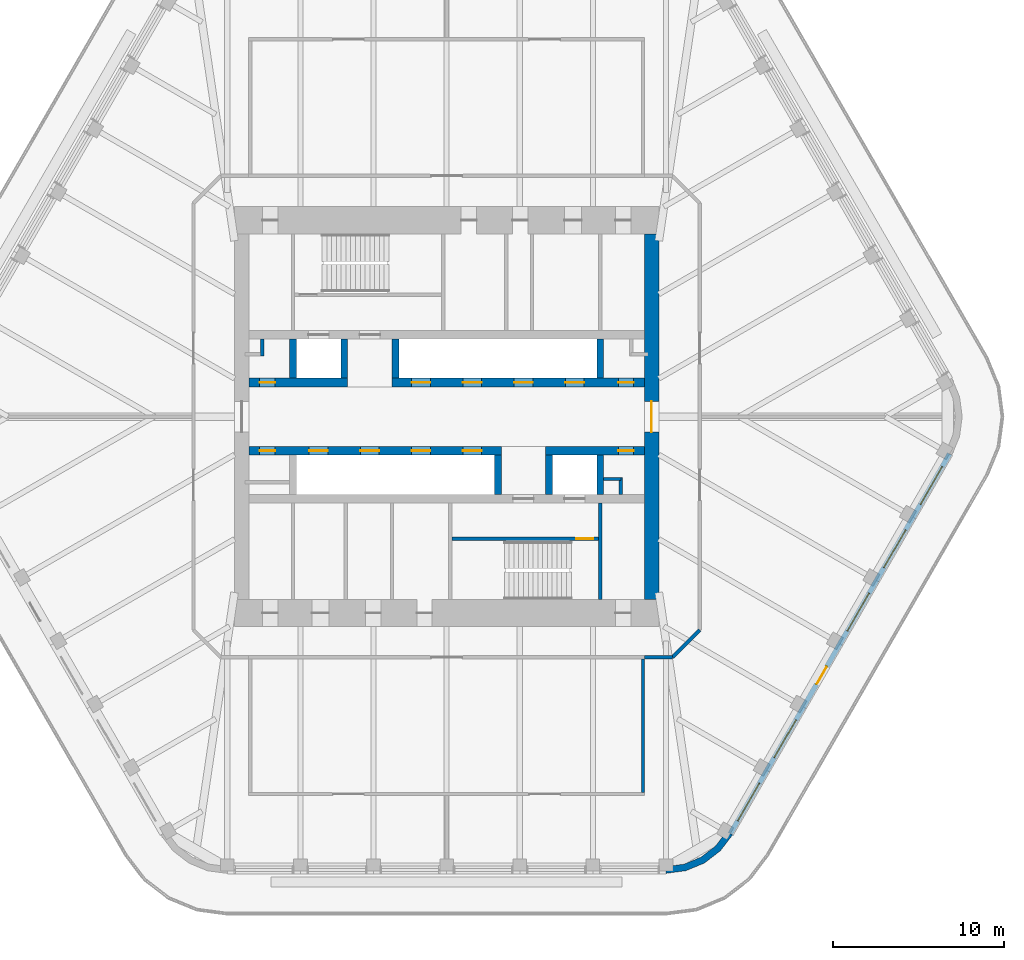
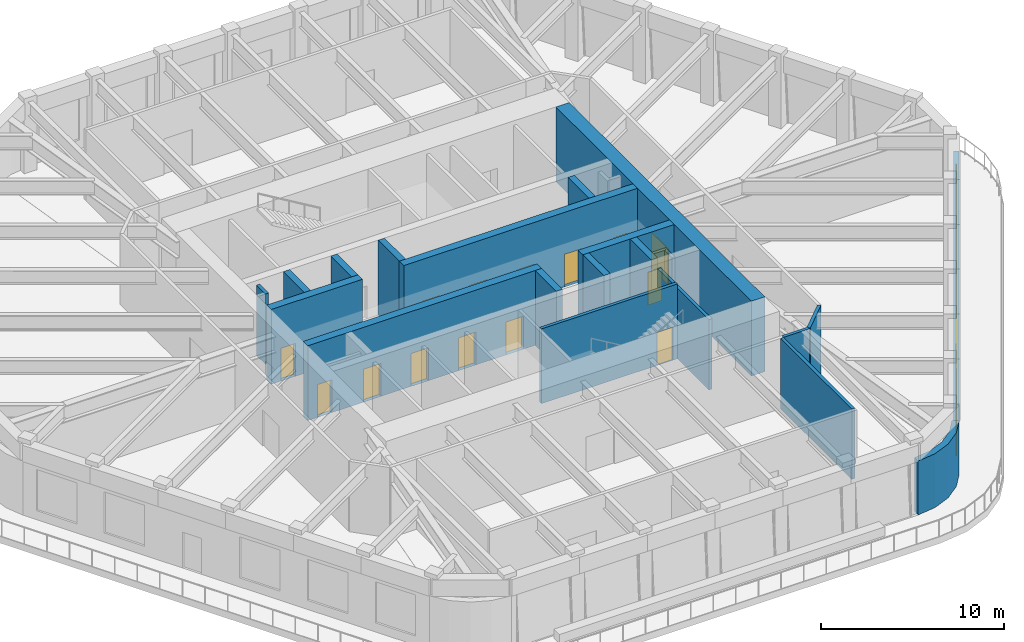
# One storey, part 8 of 13: 22 walls, 15 doors, 5 windows, 20 openings.
"""IFC4 building model written with IfcOpenShell, lengths in metres."""

from ifc_helpers import new_model, si_unit, direction, frame, frame_2d, origin, place, context, subcontext, project, spatial, polyline, rectangle, outline, extrude, material, layer, layer_set, type_object, element, fill, save


model = new_model("IFC4")

# Units and contexts
model_context = context("Model", 3, precision=1e-05, world=origin(), true_north=direction((0.0, 1.0)))
body_context = subcontext(model_context, "Body", "Model", "MODEL_VIEW")
ifc_project = project(units=[si_unit("LENGTHUNIT", "METRE"), si_unit("AREAUNIT", "SQUARE_METRE"), si_unit("VOLUMEUNIT", "CUBIC_METRE"), si_unit("PLANEANGLEUNIT", "RADIAN"), si_unit("MASSUNIT", "GRAM", prefix="KILO")], contexts=[model_context])

# Site, building, storey
site_placement = place(None, origin())
site = spatial("IfcSite", under=ifc_project, at=site_placement, CompositionType="ELEMENT")
building_placement = place(site_placement, origin())
building = spatial("IfcBuilding", under=site, at=building_placement, Name="Tarfa Lantern Tower", CompositionType="ELEMENT")
storey_placement = place(building_placement, frame((0.0, 0.0, 391.300048828125)))
storey = spatial("IfcBuildingStorey", under=building, at=storey_placement, Name="L89", CompositionType="ELEMENT", Elevation=391.300048828125)

# Wall, openings, door, windows
ifc_material_1 = material(Name="Limestone cladding on blockwork", Category="masonry")
ifc_layer_1 = layer(ifc_material_1, 0.300048828125)
ifc_layer_set_1 = layer_set([ifc_layer_1], Name="EW1 STONE-CLAD WALL 300")
wall_type_1 = type_object("IfcWallType", Name="EW1 STONE-CLAD WALL 300", PredefinedType="SOLIDWALL", material=ifc_layer_set_1)
wall_1_placement = place(storey_placement, frame((16.61328125, -24.425048828125, 0.0), z_axis=(0.0, 0.0, 1.0), x_axis=(0.499997191038, 0.866027025533, 0.0)))
wall_1 = element("IfcWall", 1, at=wall_1_placement, inside=storey, type_object=wall_type_1, Name="Stone wall SE", PredefinedType="SOLIDWALL", context=body_context, shape_type="SweptSolid", body=[
    extrude(rectangle(XDim=25.692138671875, YDim=0.300048828125, at=frame_2d((12.84619140625, 0.0))), origin(), (0.0, 0.0, 1.0), 3.599853515625),
])
opening_1_placement = place(wall_1_placement, frame((0.865966796875, 0.0, 0.60009765625)))
opening_1 = element("IfcOpeningElement", 2, at=opening_1_placement, cuts=wall_1, Name="Opening W18", PredefinedType="OPENING", context=body_context, shape_type="SweptSolid", body=[
    extrude(rectangle(XDim=2.550048828125, YDim=2.75, at=frame_2d((1.27490234375, 1.375))), frame((0.0, 0.159912109375, 0.0), z_axis=(0.0, -1.0, 0.0), x_axis=(1.0, 0.0, 0.0)), (0.0, 0.0, 1.0), 0.320068359375),
])
opening_2_placement = place(wall_1_placement, frame((5.14794921875, 0.0, 0.60009765625)))
opening_2 = element("IfcOpeningElement", 3, at=opening_2_placement, cuts=wall_1, Name="Opening W18", PredefinedType="OPENING", context=body_context, shape_type="SweptSolid", body=[
    extrude(rectangle(XDim=2.550048828125, YDim=2.75, at=frame_2d((1.27490234375, 1.375))), frame((0.0, 0.159912109375, 0.0), z_axis=(0.0, -1.0, 0.0), x_axis=(1.0, 0.0, 0.0)), (0.0, 0.0, 1.0), 0.320068359375),
])
opening_3_placement = place(wall_1_placement, frame((10.10498046875, 0.0, 0.0)))
opening_3 = element("IfcOpeningElement", 4, at=opening_3_placement, cuts=wall_1, Name="Opening D32", PredefinedType="OPENING", context=body_context, shape_type="SweptSolid", body=[
    extrude(rectangle(XDim=1.199951171875, YDim=2.39990234375, at=frame_2d((0.60009765625, 1.199951171875))), frame((0.0, 0.159912109375, 0.0), z_axis=(0.0, -1.0, 0.0), x_axis=(1.0, 0.0, 0.0)), (0.0, 0.0, 1.0), 0.320068359375),
])
opening_4_placement = place(wall_1_placement, frame((13.712158203125, 0.0, 0.60009765625)))
opening_4 = element("IfcOpeningElement", 5, at=opening_4_placement, cuts=wall_1, Name="Opening W18", PredefinedType="OPENING", context=body_context, shape_type="SweptSolid", body=[
    extrude(rectangle(XDim=2.550048828125, YDim=2.75, at=frame_2d((1.27490234375, 1.375))), frame((0.0, 0.159912109375, 0.0), z_axis=(0.0, -1.0, 0.0), x_axis=(1.0, 0.0, 0.0)), (0.0, 0.0, 1.0), 0.320068359375),
])
opening_5_placement = place(wall_1_placement, frame((17.994140625, 0.0, 0.60009765625)))
opening_5 = element("IfcOpeningElement", 6, at=opening_5_placement, cuts=wall_1, Name="Opening W18", PredefinedType="OPENING", context=body_context, shape_type="SweptSolid", body=[
    extrude(rectangle(XDim=2.550048828125, YDim=2.75, at=frame_2d((1.27490234375, 1.375))), frame((0.0, 0.159912109375, 0.0), z_axis=(0.0, -1.0, 0.0), x_axis=(1.0, 0.0, 0.0)), (0.0, 0.0, 1.0), 0.320068359375),
])
opening_6_placement = place(wall_1_placement, frame((22.276123046875, 0.0, 0.60009765625)))
opening_6 = element("IfcOpeningElement", 7, at=opening_6_placement, cuts=wall_1, Name="Opening W18", PredefinedType="OPENING", context=body_context, shape_type="SweptSolid", body=[
    extrude(rectangle(XDim=2.550048828125, YDim=2.75, at=frame_2d((1.27490234375, 1.375))), frame((0.0, 0.159912109375, 0.0), z_axis=(0.0, -1.0, 0.0), x_axis=(1.0, 0.0, 0.0)), (0.0, 0.0, 1.0), 0.320068359375),
])
ifc_material_2 = material(Name="Aluminium framed glazed door", Category="aluminium")
door_type_1 = type_object("IfcDoorType", Name="BE3 BALCONY DOOR 1200x2400", OperationType="SINGLE_SWING_RIGHT", PredefinedType="DOOR", material=ifc_material_2)
door_1_placement = place(opening_3_placement, origin())
door_1 = element("IfcDoor", 8, at=door_1_placement, inside=storey, type_object=door_type_1, Name="Balcony door SE", OperationType="SINGLE_SWING_RIGHT", OverallHeight=2.39990234375, OverallWidth=1.199951171875, PredefinedType="DOOR", context=body_context, shape_type="SweptSolid", body=[
    extrude(rectangle(XDim=1.199951171875, YDim=2.39990234375, at=frame_2d((0.60009765625, 1.199951171875))), frame((0.0, 0.02490234375, 0.0), z_axis=(0.0, -1.0, 0.0), x_axis=(1.0, 0.0, 0.0)), (0.0, 0.0, 1.0), 0.050048828125),
])
fill(opening_3, door_1)
ifc_material_3 = material(Name="Aluminium frame, double glazed", Category="aluminium")
window_type = type_object("IfcWindowType", Name="W18 FULL-HEIGHT GLAZING 2550x2750", PartitioningType="SINGLE_PANEL", PredefinedType="WINDOW", material=ifc_material_3)
window_1_placement = place(opening_1_placement, origin())
window_1 = element("IfcWindow", 9, at=window_1_placement, inside=storey, type_object=window_type, Name="Window SE 1", OverallHeight=2.75, OverallWidth=2.550048828125, PartitioningType="SINGLE_PANEL", PredefinedType="WINDOW", context=body_context, shape_type="SweptSolid", body=[
    extrude(rectangle(XDim=2.550048828125, YDim=2.75, at=frame_2d((1.27490234375, 1.375))), frame((0.0, 0.030029296875, 0.0), z_axis=(0.0, -1.0, 0.0), x_axis=(1.0, 0.0, 0.0)), (0.0, 0.0, 1.0), 0.06005859375),
])
fill(opening_1, window_1)
window_2_placement = place(opening_2_placement, origin())
window_2 = element("IfcWindow", 10, at=window_2_placement, inside=storey, type_object=window_type, Name="Window SE 2", OverallHeight=2.75, OverallWidth=2.550048828125, PartitioningType="SINGLE_PANEL", PredefinedType="WINDOW", context=body_context, shape_type="SweptSolid", body=[
    extrude(rectangle(XDim=2.550048828125, YDim=2.75, at=frame_2d((1.27490234375, 1.375))), frame((0.0, 0.030029296875, 0.0), z_axis=(0.0, -1.0, 0.0), x_axis=(1.0, 0.0, 0.0)), (0.0, 0.0, 1.0), 0.06005859375),
])
fill(opening_2, window_2)
window_3_placement = place(opening_4_placement, origin())
window_3 = element("IfcWindow", 11, at=window_3_placement, inside=storey, type_object=window_type, Name="Window SE 4", OverallHeight=2.75, OverallWidth=2.550048828125, PartitioningType="SINGLE_PANEL", PredefinedType="WINDOW", context=body_context, shape_type="SweptSolid", body=[
    extrude(rectangle(XDim=2.550048828125, YDim=2.75, at=frame_2d((1.27490234375, 1.375))), frame((0.0, 0.030029296875, 0.0), z_axis=(0.0, -1.0, 0.0), x_axis=(1.0, 0.0, 0.0)), (0.0, 0.0, 1.0), 0.06005859375),
])
fill(opening_4, window_3)
window_4_placement = place(opening_5_placement, origin())
window_4 = element("IfcWindow", 12, at=window_4_placement, inside=storey, type_object=window_type, Name="Window SE 5", OverallHeight=2.75, OverallWidth=2.550048828125, PartitioningType="SINGLE_PANEL", PredefinedType="WINDOW", context=body_context, shape_type="SweptSolid", body=[
    extrude(rectangle(XDim=2.550048828125, YDim=2.75, at=frame_2d((1.27490234375, 1.375))), frame((0.0, 0.030029296875, 0.0), z_axis=(0.0, -1.0, 0.0), x_axis=(1.0, 0.0, 0.0)), (0.0, 0.0, 1.0), 0.06005859375),
])
fill(opening_5, window_4)
window_5_placement = place(opening_6_placement, origin())
window_5 = element("IfcWindow", 13, at=window_5_placement, inside=storey, type_object=window_type, Name="Window SE 6", OverallHeight=2.75, OverallWidth=2.550048828125, PartitioningType="SINGLE_PANEL", PredefinedType="WINDOW", context=body_context, shape_type="SweptSolid", body=[
    extrude(rectangle(XDim=2.550048828125, YDim=2.75, at=frame_2d((1.27490234375, 1.375))), frame((0.0, 0.030029296875, 0.0), z_axis=(0.0, -1.0, 0.0), x_axis=(1.0, 0.0, 0.0)), (0.0, 0.0, 1.0), 0.06005859375),
])
fill(opening_6, window_5)

# Walls
ifc_layer_2 = layer(ifc_material_1, 0.39990234375)
ifc_layer_set_2 = layer_set([ifc_layer_2], Name="EW2 CURVED STONE CORNER 400")
wall_type_2 = type_object("IfcWallType", Name="EW2 CURVED STONE CORNER 400", PredefinedType="SOLIDWALL", material=ifc_layer_set_2)
wall_2_placement = place(storey_placement, origin())
element("IfcWall", 14, at=wall_2_placement, inside=storey, type_object=wall_type_2, Name="Stone corner S-SE", PredefinedType="SOLIDWALL", context=body_context, shape_type="SweptSolid", body=[
    extrude(outline(polyline([(12.845947265625, -26.75), (14.0107421875, -26.5966796875), (15.095947265625, -26.147216796875), (16.028076171875, -25.431884765625), (16.7431640625, -24.5), (16.396728515625, -24.300048828125), (15.7451171875, -25.149169921875), (14.89599609375, -25.80078125), (13.9072265625, -26.210205078125), (12.845947265625, -26.35009765625), (12.845947265625, -26.75)])), origin(), (0.0, 0.0, 1.0), 3.599853515625),
])
ifc_material_4 = material(Name="Concrete blockwork", Category="masonry")
ifc_layer_3 = layer(ifc_material_4, 0.199951171875)
ifc_layer_set_3 = layer_set([ifc_layer_3], Name="IW1 BLOCKWORK PARTITION 200 EI 120")
wall_type_3 = type_object("IfcWallType", Name="IW1 BLOCKWORK PARTITION 200 EI 120", PredefinedType="PARTITIONING", material=ifc_layer_set_3)
wall_3_placement = place(storey_placement, frame((9.0, -5.050048828125, 0.0), z_axis=(0.0, 0.0, 1.0), x_axis=(0.0, -1.0, 0.0)))
element("IfcWall", 15, at=wall_3_placement, inside=storey, type_object=wall_type_3, Name="Core partition", PredefinedType="PARTITIONING", context=body_context, shape_type="SweptSolid", body=[
    extrude(rectangle(XDim=5.64990234375, YDim=0.199951171875, at=frame_2d((2.824951171875, 0.0))), origin(), (0.0, 0.0, 1.0), 4.699951171875),
])
for number, where, z_axis, x_axis, name in (
    (16, (-10.800048828125, 3.550048828125, 0.0), (0.0, 0.0, 1.0), (0.0, 1.0, 0.0), "Core partition"),
    (17, (10.199951171875, -3.64990234375, 0.0), (0.0, 0.0, 1.0), (-1.0, 0.0, 0.0), "Core partition"),
    (18, (10.199951171875, -3.550048828125, 0.0), (0.0, 0.0, 1.0), (0.0, -1.0, 0.0), "Core partition"),
):
    element("IfcWall", number, at=place(storey_placement, frame(where, z_axis=z_axis, x_axis=x_axis)), inside=storey, type_object=wall_type_3, Name=name, PredefinedType="PARTITIONING", context=body_context, shape_type="SweptSolid", body=[
        extrude(rectangle(XDim=1.0, YDim=0.199951171875, at=frame_2d((0.5, 0.0))), origin(), (0.0, 0.0, 1.0), 4.699951171875),
    ])
ifc_material_5 = material(Name="Gypsum board on steel studs", Category="steel")
ifc_layer_4 = layer(ifc_material_5, 0.2099609375)
ifc_layer_set_4 = layer_set([ifc_layer_4], Name="IW2 ACOUSTIC PARTITION 200")
wall_type_4 = type_object("IfcWallType", Name="IW2 ACOUSTIC PARTITION 200", PredefinedType="PARTITIONING", material=ifc_layer_set_4)
wall_4_placement = place(storey_placement, frame((11.5, -14.199951171875, 0.0), z_axis=(0.0, 0.0, 1.0), x_axis=(0.0, -1.0, 0.0)))
element("IfcWall", 19, at=wall_4_placement, inside=storey, type_object=wall_type_4, Name="Partition", PredefinedType="PARTITIONING", context=body_context, shape_type="SweptSolid", body=[
    extrude(rectangle(XDim=7.800048828125, YDim=0.199951171875, at=frame_2d((3.89990234375, 0.0))), origin(), (0.0, 0.0, 1.0), 4.699951171875),
])
wall_5_placement = place(storey_placement, frame((14.824951171875, -12.5, 0.0), z_axis=(0.0, 0.0, 1.0), x_axis=(-0.707052830339, -0.707160727918, 0.0)))
element("IfcWall", 20, at=wall_5_placement, inside=storey, type_object=wall_type_4, Name="Partition", PredefinedType="PARTITIONING", context=body_context, shape_type="SweptSolid", body=[
    extrude(rectangle(XDim=2.2626953125, YDim=0.199951171875, at=frame_2d((1.13134765625, 0.0))), origin(), (0.0, 0.0, 1.0), 4.699951171875),
])
wall_6_placement = place(storey_placement, frame((13.22509765625, -14.10009765625, 0.0), z_axis=(0.0, 0.0, 1.0), x_axis=(-1.0, 0.0, 0.0)))
element("IfcWall", 21, at=wall_6_placement, inside=storey, type_object=wall_type_4, Name="Partition", PredefinedType="PARTITIONING", context=body_context, shape_type="SweptSolid", body=[
    extrude(rectangle(XDim=1.625, YDim=0.199951171875, at=frame_2d((0.8125, 0.0))), origin(), (0.0, 0.0, 1.0), 4.699951171875),
])

# Wall, opening, door
ifc_material_6 = material(Name="Concrete C80/95", Category="concrete")
ifc_layer_5 = layer(ifc_material_6, 0.199951171875)
ifc_layer_set_5 = layer_set([ifc_layer_5], Name="SW12 CORE WALL 200")
wall_type_5 = type_object("IfcWallType", Name="SW12 CORE WALL 200", PredefinedType="SHEAR", material=ifc_layer_set_5)
wall_7_placement = place(storey_placement, frame((8.89990234375, -7.14990234375, 0.0), z_axis=(0.0, 0.0, 1.0), x_axis=(-1.0, 0.0, 0.0)))
wall_7 = element("IfcWall", 22, at=wall_7_placement, inside=storey, type_object=wall_type_5, Name="Core wall stair partition S", PredefinedType="SHEAR", context=body_context, shape_type="SweptSolid", body=[
    extrude(rectangle(XDim=8.599853515625, YDim=0.199951171875, at=frame_2d((4.2998046875, 0.0))), origin(), (0.0, 0.0, 1.0), 5.0),
])
opening_7_placement = place(wall_7_placement, frame((0.300048828125, 0.0, 0.0)))
opening_7 = element("IfcOpeningElement", 23, at=opening_7_placement, cuts=wall_7, Name="Opening D20", PredefinedType="OPENING", context=body_context, shape_type="SweptSolid", body=[
    extrude(rectangle(XDim=1.0, YDim=2.199951171875, at=frame_2d((0.5, 1.10009765625))), frame((0.0, 0.10986328125, 0.0), z_axis=(0.0, -1.0, 0.0), x_axis=(1.0, 0.0, 0.0)), (0.0, 0.0, 1.0), 0.219970703125),
])
ifc_material_7 = material(Name="Steel fire door", Category="steel")
door_type_2 = type_object("IfcDoorType", Name="DF2 STAIR DOOR 1000x2200", OperationType="SINGLE_SWING_LEFT", PredefinedType="DOOR", material=ifc_material_7)
door_2_placement = place(opening_7_placement, origin())
door_2 = element("IfcDoor", 24, at=door_2_placement, inside=storey, type_object=door_type_2, Name="Stair door", OperationType="SINGLE_SWING_RIGHT", OverallHeight=2.199951171875, OverallWidth=1.0, PredefinedType="DOOR", context=body_context, shape_type="SweptSolid", body=[
    extrude(rectangle(XDim=1.0, YDim=2.199951171875, at=frame_2d((0.5, 1.10009765625))), frame((0.0, 0.02490234375, 0.0), z_axis=(0.0, -1.0, 0.0), x_axis=(1.0, 0.0, 0.0)), (0.0, 0.0, 1.0), 0.050048828125),
])
fill(opening_7, door_2)

ifc_layer_6 = layer(ifc_material_6, 0.85009765625)
ifc_layer_set_6 = layer_set([ifc_layer_6], Name="SW3 CORE WALL 850")
wall_type_6 = type_object("IfcWallType", Name="SW3 CORE WALL 850", PredefinedType="SHEAR", material=ifc_layer_set_6)
wall_8_placement = place(storey_placement, frame((12.0, -10.699951171875, 0.0), z_axis=(0.0, 0.0, 1.0), x_axis=(0.0, 1.0, 0.0)))
wall_8 = element("IfcWall", 25, at=wall_8_placement, inside=storey, type_object=wall_type_6, Name="Core wall E", PredefinedType="SHEAR", context=body_context, shape_type="SweptSolid", body=[
    extrude(rectangle(XDim=21.39990234375, YDim=0.85009765625, at=frame_2d((10.699951171875, 0.0))), origin(), (0.0, 0.0, 1.0), 5.0),
])
opening_8_placement = place(wall_8_placement, frame((9.800048828125, 0.0, 0.0)))
opening_8 = element("IfcOpeningElement", 26, at=opening_8_placement, cuts=wall_8, Name="Opening D07", PredefinedType="OPENING", context=body_context, shape_type="SweptSolid", body=[
    extrude(rectangle(XDim=1.800048828125, YDim=2.39990234375, at=frame_2d((0.89990234375, 1.199951171875))), frame((0.0, 0.43505859375, 0.0), z_axis=(0.0, -1.0, 0.0), x_axis=(1.0, 0.0, 0.0)), (0.0, 0.0, 1.0), 0.8701171875),
])
door_type_3 = type_object("IfcDoorType", Name="DL1 LOBBY DOOR 1800x2400", OperationType="DOUBLE_DOOR_SINGLE_SWING", PredefinedType="DOOR", material=ifc_material_7)
door_3_placement = place(opening_8_placement, frame((1.800048828125, 0.0, 0.0), z_axis=(0.0, 0.0, 1.0), x_axis=(-1.0, 0.0, 0.0)))
door_3 = element("IfcDoor", 27, at=door_3_placement, inside=storey, type_object=door_type_3, Name="Lift lobby door", OperationType="DOUBLE_DOOR_SINGLE_SWING", OverallHeight=2.39990234375, OverallWidth=1.800048828125, PredefinedType="DOOR", context=body_context, shape_type="SweptSolid", body=[
    extrude(rectangle(XDim=1.800048828125, YDim=2.39990234375, at=frame_2d((0.89990234375, 1.199951171875))), frame((0.0, 0.02490234375, 0.0), z_axis=(0.0, -1.0, 0.0), x_axis=(1.0, 0.0, 0.0)), (0.0, 0.0, 1.0), 0.050048828125),
])
fill(opening_8, door_3)

ifc_layer_7 = layer(ifc_material_6, 0.5)
ifc_layer_set_7 = layer_set([ifc_layer_7], Name="SW5 CORE WALL 500")
wall_type_7 = type_object("IfcWallType", Name="SW5 CORE WALL 500", PredefinedType="SHEAR", material=ifc_layer_set_7)
wall_9_placement = place(storey_placement, frame((-11.574951171875, 2.0, 0.0), z_axis=(0.0, 0.0, 1.0), x_axis=(1.0, 0.0, 0.0)))
wall_9 = element("IfcWall", 28, at=wall_9_placement, inside=storey, type_object=wall_type_7, Name="Core wall lobby west N", PredefinedType="SHEAR", context=body_context, shape_type="SweptSolid", body=[
    extrude(rectangle(XDim=5.77490234375, YDim=0.5, at=frame_2d((2.887451171875, 0.0))), origin(), (0.0, 0.0, 1.0), 5.0),
])
opening_9_placement = place(wall_9_placement, frame((0.625, 0.0, 0.0)))
opening_9 = element("IfcOpeningElement", 29, at=opening_9_placement, cuts=wall_9, Name="Opening D11", PredefinedType="OPENING", context=body_context, shape_type="SweptSolid", body=[
    extrude(rectangle(XDim=0.89990234375, YDim=2.199951171875, at=frame_2d((0.449951171875, 1.10009765625))), frame((0.0, 0.260009765625, 0.0), z_axis=(0.0, -1.0, 0.0), x_axis=(1.0, 0.0, 0.0)), (0.0, 0.0, 1.0), 0.52001953125),
])
door_type_4 = type_object("IfcDoorType", Name="DF6 SERVICE ROOM DOOR 900x2200", OperationType="SINGLE_SWING_LEFT", PredefinedType="DOOR", material=ifc_material_7)
door_4_placement = place(opening_9_placement, origin())
door_4 = element("IfcDoor", 30, at=door_4_placement, inside=storey, type_object=door_type_4, Name="Service room door", OperationType="SINGLE_SWING_RIGHT", OverallHeight=2.199951171875, OverallWidth=0.89990234375, PredefinedType="DOOR", context=body_context, shape_type="SweptSolid", body=[
    extrude(rectangle(XDim=0.89990234375, YDim=2.199951171875, at=frame_2d((0.449951171875, 1.10009765625))), frame((0.0, 0.02490234375, 0.0), z_axis=(0.0, -1.0, 0.0), x_axis=(1.0, 0.0, 0.0)), (0.0, 0.0, 1.0), 0.050048828125),
])
fill(opening_9, door_4)

# Wall, openings, doors
wall_10_placement = place(storey_placement, frame((-3.199951171875, 2.0, 0.0), z_axis=(0.0, 0.0, 1.0), x_axis=(1.0, 0.0, 0.0)))
wall_10 = element("IfcWall", 31, at=wall_10_placement, inside=storey, type_object=wall_type_7, Name="Core wall lobby east N", PredefinedType="SHEAR", context=body_context, shape_type="SweptSolid", body=[
    extrude(rectangle(XDim=14.77490234375, YDim=0.5, at=frame_2d((7.387451171875, 0.0))), origin(), (0.0, 0.0, 1.0), 5.0),
])
opening_10_placement = place(wall_10_placement, frame((13.25, 0.0, 0.0)))
opening_10 = element("IfcOpeningElement", 32, at=opening_10_placement, cuts=wall_10, Name="Opening D09", PredefinedType="OPENING", context=body_context, shape_type="SweptSolid", body=[
    extrude(rectangle(XDim=0.89990234375, YDim=2.199951171875, at=frame_2d((0.449951171875, 1.10009765625))), frame((0.0, 0.260009765625, 0.0), z_axis=(0.0, -1.0, 0.0), x_axis=(1.0, 0.0, 0.0)), (0.0, 0.0, 1.0), 0.52001953125),
])
opening_11_placement = place(wall_10_placement, frame((1.14990234375, 0.0, 0.0)))
opening_11 = element("IfcOpeningElement", 33, at=opening_11_placement, cuts=wall_10, Name="Opening LD03", PredefinedType="OPENING", context=body_context, shape_type="SweptSolid", body=[
    extrude(rectangle(XDim=1.10009765625, YDim=2.199951171875, at=frame_2d((0.550048828125, 1.10009765625))), frame((0.0, 0.260009765625, 0.0), z_axis=(0.0, -1.0, 0.0), x_axis=(1.0, 0.0, 0.0)), (0.0, 0.0, 1.0), 0.52001953125),
])
opening_12_placement = place(wall_10_placement, frame((4.14990234375, 0.0, 0.0)))
opening_12 = element("IfcOpeningElement", 34, at=opening_12_placement, cuts=wall_10, Name="Opening LD04", PredefinedType="OPENING", context=body_context, shape_type="SweptSolid", body=[
    extrude(rectangle(XDim=1.10009765625, YDim=2.199951171875, at=frame_2d((0.550048828125, 1.10009765625))), frame((0.0, 0.260009765625, 0.0), z_axis=(0.0, -1.0, 0.0), x_axis=(1.0, 0.0, 0.0)), (0.0, 0.0, 1.0), 0.52001953125),
])
opening_13_placement = place(wall_10_placement, frame((7.14990234375, 0.0, 0.0)))
opening_13 = element("IfcOpeningElement", 35, at=opening_13_placement, cuts=wall_10, Name="Opening LD05", PredefinedType="OPENING", context=body_context, shape_type="SweptSolid", body=[
    extrude(rectangle(XDim=1.10009765625, YDim=2.199951171875, at=frame_2d((0.550048828125, 1.10009765625))), frame((0.0, 0.260009765625, 0.0), z_axis=(0.0, -1.0, 0.0), x_axis=(1.0, 0.0, 0.0)), (0.0, 0.0, 1.0), 0.52001953125),
])
opening_14_placement = place(wall_10_placement, frame((10.14990234375, 0.0, 0.0)))
opening_14 = element("IfcOpeningElement", 36, at=opening_14_placement, cuts=wall_10, Name="Opening LD06", PredefinedType="OPENING", context=body_context, shape_type="SweptSolid", body=[
    extrude(rectangle(XDim=1.10009765625, YDim=2.199951171875, at=frame_2d((0.550048828125, 1.10009765625))), frame((0.0, 0.260009765625, 0.0), z_axis=(0.0, -1.0, 0.0), x_axis=(1.0, 0.0, 0.0)), (0.0, 0.0, 1.0), 0.52001953125),
])
door_5_placement = place(opening_10_placement, origin())
door_5 = element("IfcDoor", 37, at=door_5_placement, inside=storey, type_object=door_type_4, Name="Service room door", OperationType="SINGLE_SWING_LEFT", OverallHeight=2.199951171875, OverallWidth=0.89990234375, PredefinedType="DOOR", context=body_context, shape_type="SweptSolid", body=[
    extrude(rectangle(XDim=0.89990234375, YDim=2.199951171875, at=frame_2d((0.449951171875, 1.10009765625))), frame((0.0, 0.02490234375, 0.0), z_axis=(0.0, -1.0, 0.0), x_axis=(1.0, 0.0, 0.0)), (0.0, 0.0, 1.0), 0.050048828125),
])
fill(opening_10, door_5)
ifc_material_8 = material(Name="Stainless steel lift door", Category="steel")
door_type_5 = type_object("IfcDoorType", Name="LD2 LIFT LANDING DOOR 1100x2200", OperationType="SLIDING_TO_LEFT", PredefinedType="DOOR", material=ifc_material_8)
door_6_placement = place(opening_11_placement, frame((1.10009765625, 0.0, 0.0), z_axis=(0.0, 0.0, 1.0), x_axis=(-1.0, 0.0, 0.0)))
door_6 = element("IfcDoor", 38, at=door_6_placement, inside=storey, type_object=door_type_5, Name="Landing door PD1", OperationType="SLIDING_TO_LEFT", OverallHeight=2.199951171875, OverallWidth=1.10009765625, PredefinedType="DOOR", context=body_context, shape_type="SweptSolid", body=[
    extrude(rectangle(XDim=1.10009765625, YDim=2.199951171875, at=frame_2d((0.550048828125, 1.10009765625))), frame((0.0, 0.02490234375, 0.0), z_axis=(0.0, -1.0, 0.0), x_axis=(1.0, 0.0, 0.0)), (0.0, 0.0, 1.0), 0.050048828125),
])
fill(opening_11, door_6)
door_7_placement = place(opening_12_placement, frame((1.10009765625, 0.0, 0.0), z_axis=(0.0, 0.0, 1.0), x_axis=(-1.0, 0.0, 0.0)))
door_7 = element("IfcDoor", 39, at=door_7_placement, inside=storey, type_object=door_type_5, Name="Landing door PD2", OperationType="SLIDING_TO_LEFT", OverallHeight=2.199951171875, OverallWidth=1.10009765625, PredefinedType="DOOR", context=body_context, shape_type="SweptSolid", body=[
    extrude(rectangle(XDim=1.10009765625, YDim=2.199951171875, at=frame_2d((0.550048828125, 1.10009765625))), frame((0.0, 0.02490234375, 0.0), z_axis=(0.0, -1.0, 0.0), x_axis=(1.0, 0.0, 0.0)), (0.0, 0.0, 1.0), 0.050048828125),
])
fill(opening_12, door_7)
door_8_placement = place(opening_13_placement, frame((1.10009765625, 0.0, 0.0), z_axis=(0.0, 0.0, 1.0), x_axis=(-1.0, 0.0, 0.0)))
door_8 = element("IfcDoor", 40, at=door_8_placement, inside=storey, type_object=door_type_5, Name="Landing door PD3", OperationType="SLIDING_TO_LEFT", OverallHeight=2.199951171875, OverallWidth=1.10009765625, PredefinedType="DOOR", context=body_context, shape_type="SweptSolid", body=[
    extrude(rectangle(XDim=1.10009765625, YDim=2.199951171875, at=frame_2d((0.550048828125, 1.10009765625))), frame((0.0, 0.02490234375, 0.0), z_axis=(0.0, -1.0, 0.0), x_axis=(1.0, 0.0, 0.0)), (0.0, 0.0, 1.0), 0.050048828125),
])
fill(opening_13, door_8)
door_9_placement = place(opening_14_placement, frame((1.10009765625, 0.0, 0.0), z_axis=(0.0, 0.0, 1.0), x_axis=(-1.0, 0.0, 0.0)))
door_9 = element("IfcDoor", 41, at=door_9_placement, inside=storey, type_object=door_type_5, Name="Landing door PD4", OperationType="SLIDING_TO_LEFT", OverallHeight=2.199951171875, OverallWidth=1.10009765625, PredefinedType="DOOR", context=body_context, shape_type="SweptSolid", body=[
    extrude(rectangle(XDim=1.10009765625, YDim=2.199951171875, at=frame_2d((0.550048828125, 1.10009765625))), frame((0.0, 0.02490234375, 0.0), z_axis=(0.0, -1.0, 0.0), x_axis=(1.0, 0.0, 0.0)), (0.0, 0.0, 1.0), 0.050048828125),
])
fill(opening_14, door_9)

# Wall, opening, door
wall_11_placement = place(storey_placement, frame((11.574951171875, -2.0, 0.0), z_axis=(0.0, 0.0, 1.0), x_axis=(-1.0, 0.0, 0.0)))
wall_11 = element("IfcWall", 42, at=wall_11_placement, inside=storey, type_object=wall_type_7, Name="Core wall lobby west S", PredefinedType="SHEAR", context=body_context, shape_type="SweptSolid", body=[
    extrude(rectangle(XDim=5.77490234375, YDim=0.5, at=frame_2d((2.887451171875, 0.0))), origin(), (0.0, 0.0, 1.0), 5.0),
])
opening_15_placement = place(wall_11_placement, frame((0.625, 0.0, 0.0)))
opening_15 = element("IfcOpeningElement", 43, at=opening_15_placement, cuts=wall_11, Name="Opening D12", PredefinedType="OPENING", context=body_context, shape_type="SweptSolid", body=[
    extrude(rectangle(XDim=0.89990234375, YDim=2.199951171875, at=frame_2d((0.449951171875, 1.10009765625))), frame((0.0, 0.260009765625, 0.0), z_axis=(0.0, -1.0, 0.0), x_axis=(1.0, 0.0, 0.0)), (0.0, 0.0, 1.0), 0.52001953125),
])
door_10_placement = place(opening_15_placement, origin())
door_10 = element("IfcDoor", 44, at=door_10_placement, inside=storey, type_object=door_type_4, Name="Service room door", OperationType="SINGLE_SWING_RIGHT", OverallHeight=2.199951171875, OverallWidth=0.89990234375, PredefinedType="DOOR", context=body_context, shape_type="SweptSolid", body=[
    extrude(rectangle(XDim=0.89990234375, YDim=2.199951171875, at=frame_2d((0.449951171875, 1.10009765625))), frame((0.0, 0.02490234375, 0.0), z_axis=(0.0, -1.0, 0.0), x_axis=(1.0, 0.0, 0.0)), (0.0, 0.0, 1.0), 0.050048828125),
])
fill(opening_15, door_10)

# Wall, openings, doors
wall_12_placement = place(storey_placement, frame((3.199951171875, -2.0, 0.0), z_axis=(0.0, 0.0, 1.0), x_axis=(-1.0, 0.0, 0.0)))
wall_12 = element("IfcWall", 45, at=wall_12_placement, inside=storey, type_object=wall_type_7, Name="Core wall lobby east S", PredefinedType="SHEAR", context=body_context, shape_type="SweptSolid", body=[
    extrude(rectangle(XDim=14.77490234375, YDim=0.5, at=frame_2d((7.387451171875, 0.0))), origin(), (0.0, 0.0, 1.0), 5.0),
])
opening_16_placement = place(wall_12_placement, frame((13.25, 0.0, 0.0)))
opening_16 = element("IfcOpeningElement", 46, at=opening_16_placement, cuts=wall_12, Name="Opening D10", PredefinedType="OPENING", context=body_context, shape_type="SweptSolid", body=[
    extrude(rectangle(XDim=0.89990234375, YDim=2.199951171875, at=frame_2d((0.449951171875, 1.10009765625))), frame((0.0, 0.260009765625, 0.0), z_axis=(0.0, -1.0, 0.0), x_axis=(1.0, 0.0, 0.0)), (0.0, 0.0, 1.0), 0.52001953125),
])
opening_17_placement = place(wall_12_placement, frame((1.14990234375, 0.0, 0.0)))
opening_17 = element("IfcOpeningElement", 47, at=opening_17_placement, cuts=wall_12, Name="Opening LD07", PredefinedType="OPENING", context=body_context, shape_type="SweptSolid", body=[
    extrude(rectangle(XDim=1.10009765625, YDim=2.199951171875, at=frame_2d((0.550048828125, 1.10009765625))), frame((0.0, 0.260009765625, 0.0), z_axis=(0.0, -1.0, 0.0), x_axis=(1.0, 0.0, 0.0)), (0.0, 0.0, 1.0), 0.52001953125),
])
opening_18_placement = place(wall_12_placement, frame((4.14990234375, 0.0, 0.0)))
opening_18 = element("IfcOpeningElement", 48, at=opening_18_placement, cuts=wall_12, Name="Opening LD08", PredefinedType="OPENING", context=body_context, shape_type="SweptSolid", body=[
    extrude(rectangle(XDim=1.10009765625, YDim=2.199951171875, at=frame_2d((0.550048828125, 1.10009765625))), frame((0.0, 0.260009765625, 0.0), z_axis=(0.0, -1.0, 0.0), x_axis=(1.0, 0.0, 0.0)), (0.0, 0.0, 1.0), 0.52001953125),
])
opening_19_placement = place(wall_12_placement, frame((7.14990234375, 0.0, 0.0)))
opening_19 = element("IfcOpeningElement", 49, at=opening_19_placement, cuts=wall_12, Name="Opening LD09", PredefinedType="OPENING", context=body_context, shape_type="SweptSolid", body=[
    extrude(rectangle(XDim=1.10009765625, YDim=2.199951171875, at=frame_2d((0.550048828125, 1.10009765625))), frame((0.0, 0.260009765625, 0.0), z_axis=(0.0, -1.0, 0.0), x_axis=(1.0, 0.0, 0.0)), (0.0, 0.0, 1.0), 0.52001953125),
])
opening_20_placement = place(wall_12_placement, frame((10.14990234375, 0.0, 0.0)))
opening_20 = element("IfcOpeningElement", 50, at=opening_20_placement, cuts=wall_12, Name="Opening LD10", PredefinedType="OPENING", context=body_context, shape_type="SweptSolid", body=[
    extrude(rectangle(XDim=1.10009765625, YDim=2.199951171875, at=frame_2d((0.550048828125, 1.10009765625))), frame((0.0, 0.260009765625, 0.0), z_axis=(0.0, -1.0, 0.0), x_axis=(1.0, 0.0, 0.0)), (0.0, 0.0, 1.0), 0.52001953125),
])
door_11_placement = place(opening_16_placement, origin())
door_11 = element("IfcDoor", 51, at=door_11_placement, inside=storey, type_object=door_type_4, Name="Service room door", OperationType="SINGLE_SWING_LEFT", OverallHeight=2.199951171875, OverallWidth=0.89990234375, PredefinedType="DOOR", context=body_context, shape_type="SweptSolid", body=[
    extrude(rectangle(XDim=0.89990234375, YDim=2.199951171875, at=frame_2d((0.449951171875, 1.10009765625))), frame((0.0, 0.02490234375, 0.0), z_axis=(0.0, -1.0, 0.0), x_axis=(1.0, 0.0, 0.0)), (0.0, 0.0, 1.0), 0.050048828125),
])
fill(opening_16, door_11)
door_12_placement = place(opening_17_placement, frame((1.10009765625, 0.0, 0.0), z_axis=(0.0, 0.0, 1.0), x_axis=(-1.0, 0.0, 0.0)))
door_12 = element("IfcDoor", 52, at=door_12_placement, inside=storey, type_object=door_type_5, Name="Landing door PD5", OperationType="SLIDING_TO_LEFT", OverallHeight=2.199951171875, OverallWidth=1.10009765625, PredefinedType="DOOR", context=body_context, shape_type="SweptSolid", body=[
    extrude(rectangle(XDim=1.10009765625, YDim=2.199951171875, at=frame_2d((0.550048828125, 1.10009765625))), frame((0.0, 0.02490234375, 0.0), z_axis=(0.0, -1.0, 0.0), x_axis=(1.0, 0.0, 0.0)), (0.0, 0.0, 1.0), 0.050048828125),
])
fill(opening_17, door_12)
door_13_placement = place(opening_18_placement, frame((1.10009765625, 0.0, 0.0), z_axis=(0.0, 0.0, 1.0), x_axis=(-1.0, 0.0, 0.0)))
door_13 = element("IfcDoor", 53, at=door_13_placement, inside=storey, type_object=door_type_5, Name="Landing door PD6", OperationType="SLIDING_TO_LEFT", OverallHeight=2.199951171875, OverallWidth=1.10009765625, PredefinedType="DOOR", context=body_context, shape_type="SweptSolid", body=[
    extrude(rectangle(XDim=1.10009765625, YDim=2.199951171875, at=frame_2d((0.550048828125, 1.10009765625))), frame((0.0, 0.02490234375, 0.0), z_axis=(0.0, -1.0, 0.0), x_axis=(1.0, 0.0, 0.0)), (0.0, 0.0, 1.0), 0.050048828125),
])
fill(opening_18, door_13)
door_14_placement = place(opening_19_placement, frame((1.10009765625, 0.0, 0.0), z_axis=(0.0, 0.0, 1.0), x_axis=(-1.0, 0.0, 0.0)))
door_14 = element("IfcDoor", 54, at=door_14_placement, inside=storey, type_object=door_type_5, Name="Landing door PD7", OperationType="SLIDING_TO_LEFT", OverallHeight=2.199951171875, OverallWidth=1.10009765625, PredefinedType="DOOR", context=body_context, shape_type="SweptSolid", body=[
    extrude(rectangle(XDim=1.10009765625, YDim=2.199951171875, at=frame_2d((0.550048828125, 1.10009765625))), frame((0.0, 0.02490234375, 0.0), z_axis=(0.0, -1.0, 0.0), x_axis=(1.0, 0.0, 0.0)), (0.0, 0.0, 1.0), 0.050048828125),
])
fill(opening_19, door_14)
door_15_placement = place(opening_20_placement, frame((1.10009765625, 0.0, 0.0), z_axis=(0.0, 0.0, 1.0), x_axis=(-1.0, 0.0, 0.0)))
door_15 = element("IfcDoor", 55, at=door_15_placement, inside=storey, type_object=door_type_5, Name="Landing door PD8", OperationType="SLIDING_TO_LEFT", OverallHeight=2.199951171875, OverallWidth=1.10009765625, PredefinedType="DOOR", context=body_context, shape_type="SweptSolid", body=[
    extrude(rectangle(XDim=1.10009765625, YDim=2.199951171875, at=frame_2d((0.550048828125, 1.10009765625))), frame((0.0, 0.02490234375, 0.0), z_axis=(0.0, -1.0, 0.0), x_axis=(1.0, 0.0, 0.0)), (0.0, 0.0, 1.0), 0.050048828125),
])
fill(opening_20, door_15)

# Walls
ifc_layer_8 = layer(ifc_material_6, 0.39990234375)
ifc_layer_set_8 = layer_set([ifc_layer_8], Name="SW6 CORE WALL 400")
wall_type_8 = type_object("IfcWallType", Name="SW6 CORE WALL 400", PredefinedType="SHEAR", material=ifc_layer_set_8)
for number, where, z_axis, x_axis, name in (
    (56, (-9.0, 2.25, 0.0), (0.0, 0.0, 1.0), (0.0, 1.0, 0.0), "Core wall divider N"),
    (57, (-6.0, 2.25, 0.0), (0.0, 0.0, 1.0), (0.0, 1.0, 0.0), "Core wall divider N"),
    (58, (-3.0, 2.25, 0.0), (0.0, 0.0, 1.0), (0.0, 1.0, 0.0), "Core wall divider N"),
    (59, (9.0, 2.25, 0.0), (0.0, 0.0, 1.0), (0.0, 1.0, 0.0), "Core wall divider N"),
    (60, (9.0, -2.25, 0.0), (0.0, 0.0, 1.0), (0.0, -1.0, 0.0), "Core wall divider S"),
    (61, (6.0, -2.25, 0.0), (0.0, 0.0, 1.0), (0.0, -1.0, 0.0), "Core wall divider S"),
    (62, (3.0, -2.25, 0.0), (0.0, 0.0, 1.0), (0.0, -1.0, 0.0), "Core wall divider S"),
):
    element("IfcWall", number, at=place(storey_placement, frame(where, z_axis=z_axis, x_axis=x_axis)), inside=storey, type_object=wall_type_8, Name=name, PredefinedType="SHEAR", context=body_context, shape_type="SweptSolid", body=[
        extrude(rectangle(XDim=2.300048828125, YDim=0.39990234375, at=frame_2d((1.14990234375, 0.0))), origin(), (0.0, 0.0, 1.0), 5.0),
    ])

save(model, "model.ifc")
